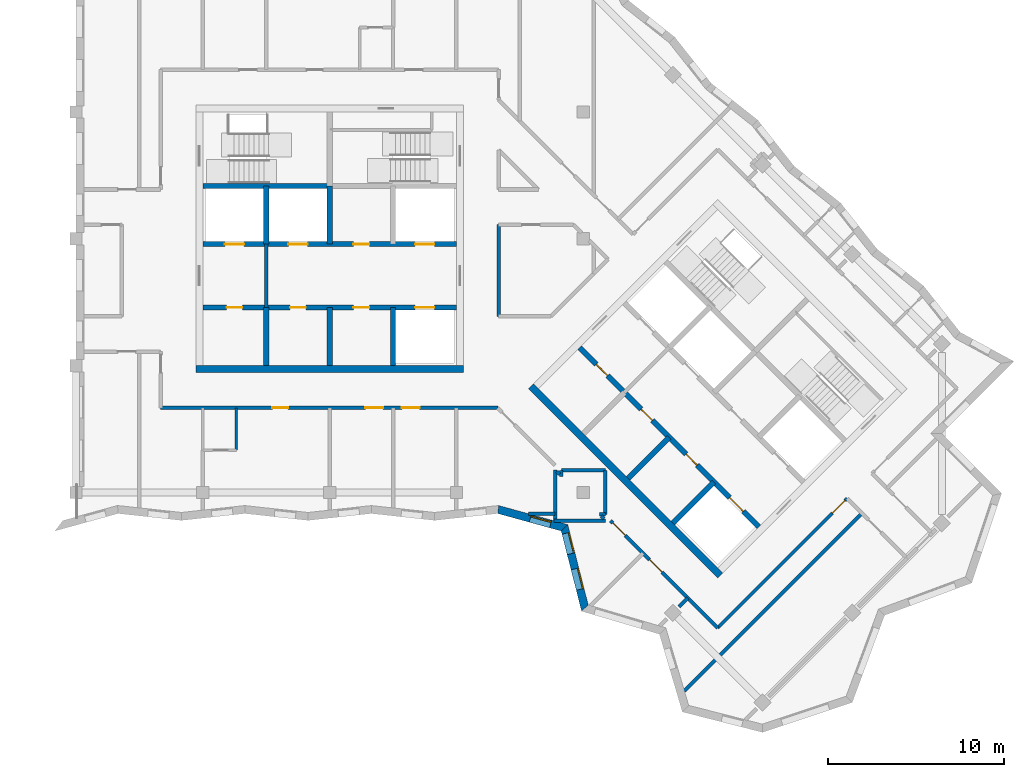
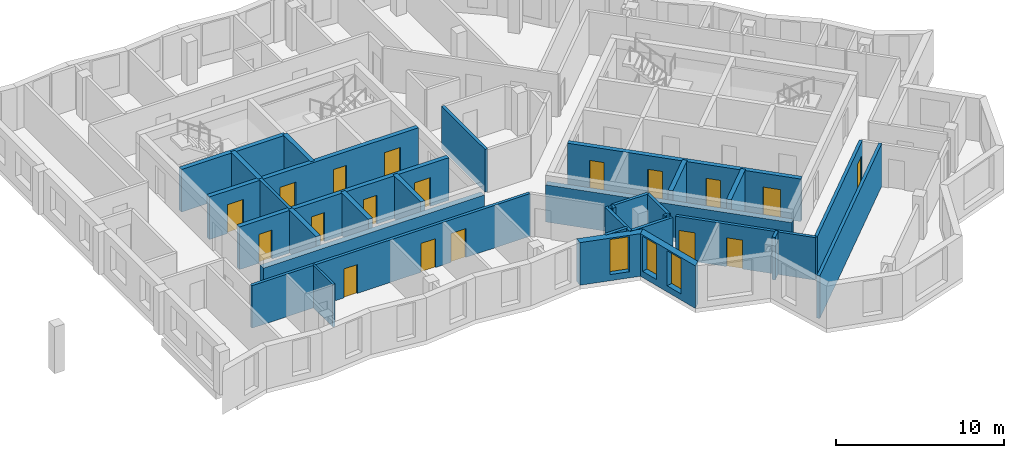
# One storey, part 3 of 12: 32 walls, 18 doors, 3 windows, 21 openings.
"""IFC4 building model written with IfcOpenShell, lengths in metres."""

from ifc_helpers import new_model, si_unit, direction, frame, frame_2d, origin, place, context, subcontext, project, spatial, polyline, rectangle, outline, extrude, material, layer, layer_set, type_object, element, fill, save


model = new_model("IFC4")

# Units and contexts
model_context = context("Model", 3, precision=1e-05, world=origin(), true_north=direction((0.0, 1.0)))
body_context = subcontext(model_context, "Body", "Model", "MODEL_VIEW")
ifc_project = project(units=[si_unit("LENGTHUNIT", "METRE"), si_unit("AREAUNIT", "SQUARE_METRE"), si_unit("VOLUMEUNIT", "CUBIC_METRE"), si_unit("PLANEANGLEUNIT", "RADIAN"), si_unit("MASSUNIT", "GRAM", prefix="KILO")], contexts=[model_context])

# Site, building, storey
site_placement = place(None, origin())
site = spatial("IfcSite", under=ifc_project, at=site_placement, CompositionType="ELEMENT")
building_placement = place(site_placement, origin())
building = spatial("IfcBuilding", under=site, at=building_placement, Name="Windrow Commons", CompositionType="ELEMENT")
storey_placement = place(building_placement, frame((0.0, 0.0, 254.0)))
storey = spatial("IfcBuildingStorey", under=building, at=storey_placement, Name="L69", CompositionType="ELEMENT", Elevation=254.0)

# Wall, opening, window
ifc_material_1 = material(Name="Brick masonry, red clay brick", Category="masonry")
ifc_layer_1 = layer(ifc_material_1, 0.45)
ifc_layer_set_1 = layer_set([ifc_layer_1], Name="Brick facade wall 450")
wall_type_1 = type_object("IfcWallType", Name="Brick facade wall 450", PredefinedType="SOLIDWALL", material=ifc_layer_set_1)
wall_1_placement = place(storey_placement, frame((74.3719, 42.2283, 0.0), z_axis=(0.0, 0.0, 1.0), x_axis=(0.9640145949, -0.2658493196, 0.0)))
wall_1 = element("IfcWall", 1, at=wall_1_placement, inside=storey, type_object=wall_type_1, Name="Brick facade wall L69 45", PredefinedType="SOLIDWALL", context=body_context, shape_type="SweptSolid", body=[
    extrude(outline(polyline([(0.043, -0.225), (3.7705, -0.225), (4.0317, 0.225), (-0.043, 0.225), (0.043, -0.225)])), origin(), (0.0, 0.0, 1.0), 3.1),
])
opening_1_placement = place(wall_1_placement, frame((1.8875, 0.0, 0.45)))
opening_1 = element("IfcOpeningElement", 2, at=opening_1_placement, cuts=wall_1, Name="Opening W7F", PredefinedType="OPENING", context=body_context, shape_type="SweptSolid", body=[
    extrude(rectangle(XDim=1.2, YDim=2.55, at=frame_2d((0.6, 1.275))), frame((0.0, 0.235, 0.0), z_axis=(0.0, -1.0, 0.0), x_axis=(1.0, 0.0, 0.0)), (0.0, 0.0, 1.0), 0.47),
])
ifc_material_2 = material(Name="Clear float glass in anodised aluminium frame", Category="aluminium")
window_type = type_object("IfcWindowType", Name="Window W7 notch 1200x2550", PartitioningType="SINGLE_PANEL", PredefinedType="WINDOW", material=ifc_material_2)
window_1_placement = place(opening_1_placement, origin())
window_1 = element("IfcWindow", 3, at=window_1_placement, inside=storey, type_object=window_type, Name="Window L69 45.1", OverallHeight=2.55, OverallWidth=1.2, PartitioningType="SINGLE_PANEL", PredefinedType="WINDOW", context=body_context, shape_type="SweptSolid", body=[
    extrude(rectangle(XDim=1.2, YDim=2.55, at=frame_2d((0.6, 1.275))), frame((0.0, 0.145, 0.0), z_axis=(0.0, -1.0, 0.0), x_axis=(1.0, 0.0, 0.0)), (0.0, 0.0, 1.0), 0.06),
])
fill(opening_1, window_1)

# Wall, openings, windows
wall_2_placement = place(storey_placement, frame((78.1326, 41.1912, 0.0), z_axis=(0.0, 0.0, 1.0), x_axis=(0.2471093733, -0.9689875942, 0.0)))
wall_2 = element("IfcWall", 4, at=wall_2_placement, inside=storey, type_object=wall_type_1, Name="Brick facade wall L69 46", PredefinedType="SOLIDWALL", context=body_context, shape_type="SweptSolid", body=[
    extrude(outline(polyline([(0.1306, -0.225), (4.8323, -0.225), (4.5765, 0.225), (-0.1306, 0.225), (0.1306, -0.225)])), origin(), (0.0, 0.0, 1.0), 3.1),
])
opening_2_placement = place(wall_2_placement, frame((0.321, 0.0, 0.45)))
opening_2 = element("IfcOpeningElement", 5, at=opening_2_placement, cuts=wall_2, Name="Opening W7F", PredefinedType="OPENING", context=body_context, shape_type="SweptSolid", body=[
    extrude(rectangle(XDim=1.2, YDim=2.55, at=frame_2d((0.6, 1.275))), frame((0.0, 0.235, 0.0), z_axis=(0.0, -1.0, 0.0), x_axis=(1.0, 0.0, 0.0)), (0.0, 0.0, 1.0), 0.47),
])
opening_3_placement = place(wall_2_placement, frame((2.4093, 0.0, 0.45)))
opening_3 = element("IfcOpeningElement", 6, at=opening_3_placement, cuts=wall_2, Name="Opening W7F", PredefinedType="OPENING", context=body_context, shape_type="SweptSolid", body=[
    extrude(rectangle(XDim=1.2, YDim=2.55, at=frame_2d((0.6, 1.275))), frame((0.0, 0.235, 0.0), z_axis=(0.0, -1.0, 0.0), x_axis=(1.0, 0.0, 0.0)), (0.0, 0.0, 1.0), 0.47),
])
window_2_placement = place(opening_2_placement, origin())
window_2 = element("IfcWindow", 7, at=window_2_placement, inside=storey, type_object=window_type, Name="Window L69 46.1", OverallHeight=2.55, OverallWidth=1.2, PartitioningType="SINGLE_PANEL", PredefinedType="WINDOW", context=body_context, shape_type="SweptSolid", body=[
    extrude(rectangle(XDim=1.2, YDim=2.55, at=frame_2d((0.6, 1.275))), frame((0.0, 0.205, 0.0), z_axis=(0.0, -1.0, 0.0), x_axis=(1.0, 0.0, 0.0)), (0.0, 0.0, 1.0), 0.06),
])
fill(opening_2, window_2)
window_3_placement = place(opening_3_placement, origin())
window_3 = element("IfcWindow", 8, at=window_3_placement, inside=storey, type_object=window_type, Name="Window L69 46.2", OverallHeight=2.55, OverallWidth=1.2, PartitioningType="SINGLE_PANEL", PredefinedType="WINDOW", context=body_context, shape_type="SweptSolid", body=[
    extrude(rectangle(XDim=1.2, YDim=2.55, at=frame_2d((0.6, 1.275))), frame((0.0, 0.205, 0.0), z_axis=(0.0, -1.0, 0.0), x_axis=(1.0, 0.0, 0.0)), (0.0, 0.0, 1.0), 0.06),
])
fill(opening_3, window_3)

# Wall
ifc_material_3 = material(Name="Blockwork partition", Category="masonry")
ifc_layer_2 = layer(ifc_material_3, 0.2)
ifc_layer_set_2 = layer_set([ifc_layer_2], Name="Fire lobby partition 200")
wall_type_2 = type_object("IfcWallType", Name="Fire lobby partition 200", PredefinedType="PARTITIONING", material=ifc_layer_set_2)
wall_3_placement = place(storey_placement, frame((61.2, 53.7, 0.0), z_axis=(0.0, 0.0, 1.0), x_axis=(0.0, 1.0, 0.0)))
element("IfcWall", 9, at=wall_3_placement, inside=storey, type_object=wall_type_2, Name="W-core-lobby-A-L69", PredefinedType="PARTITIONING", context=body_context, shape_type="SweptSolid", body=[
    extrude(rectangle(XDim=3.6, YDim=0.2, at=frame_2d((1.8, 0.0))), origin(), (0.0, 0.0, 1.0), 3.1),
])

# Wall, openings, doors
ifc_material_4 = material(Name="Blockwork partition", Category="masonry")
ifc_layer_3 = layer(ifc_material_4, 0.2)
ifc_layer_set_3 = layer_set([ifc_layer_3], Name="IW-CORRIDOR-200")
wall_type_3 = type_object("IfcWallType", Name="IW-CORRIDOR-200", PredefinedType="PARTITIONING", material=ifc_layer_set_3)
wall_4_placement = place(storey_placement, frame((55.2, 48.0, 0.0), z_axis=(0.0, 0.0, 1.0), x_axis=(1.0, 0.0, 0.0)))
wall_4 = element("IfcWall", 10, at=wall_4_placement, inside=storey, type_object=wall_type_3, Name="W-L69-W001", PredefinedType="PARTITIONING", context=body_context, shape_type="SweptSolid", body=[
    extrude(rectangle(XDim=19.15, YDim=0.2, at=frame_2d((9.575, 0.0))), origin(), (0.0, 0.0, 1.0), 3.1),
])
opening_4_placement = place(wall_4_placement, frame((6.3434, 0.0, 0.0)))
opening_4 = element("IfcOpeningElement", 11, at=opening_4_placement, cuts=wall_4, Name="Opening D109F", PredefinedType="OPENING", context=body_context, shape_type="SweptSolid", body=[
    extrude(rectangle(XDim=0.9, YDim=2.1, at=frame_2d((0.45, 1.05))), frame((0.0, 0.11, 0.0), z_axis=(0.0, -1.0, 0.0), x_axis=(1.0, 0.0, 0.0)), (0.0, 0.0, 1.0), 0.22),
])
opening_5_placement = place(wall_4_placement, frame((11.6325, 0.0, 0.0)))
opening_5 = element("IfcOpeningElement", 12, at=opening_5_placement, cuts=wall_4, Name="Opening D310F", PredefinedType="OPENING", context=body_context, shape_type="SweptSolid", body=[
    extrude(rectangle(XDim=1.0, YDim=2.1, at=frame_2d((0.5, 1.05))), frame((0.0, 0.11, 0.0), z_axis=(0.0, -1.0, 0.0), x_axis=(1.0, 0.0, 0.0)), (0.0, 0.0, 1.0), 0.22),
])
opening_6_placement = place(wall_4_placement, frame((13.7075, 0.0, 0.0)))
opening_6 = element("IfcOpeningElement", 13, at=opening_6_placement, cuts=wall_4, Name="Opening D310F", PredefinedType="OPENING", context=body_context, shape_type="SweptSolid", body=[
    extrude(rectangle(XDim=1.0, YDim=2.1, at=frame_2d((0.5, 1.05))), frame((0.0, 0.11, 0.0), z_axis=(0.0, -1.0, 0.0), x_axis=(1.0, 0.0, 0.0)), (0.0, 0.0, 1.0), 0.22),
])
ifc_material_5 = material(Name="Timber door leaf", Category="wood")
door_type_1 = type_object("IfcDoorType", Name="DT-AMENITY-1000", OperationType="SINGLE_SWING_LEFT", PredefinedType="DOOR", material=ifc_material_5)
door_1_placement = place(opening_5_placement, origin())
door_1 = element("IfcDoor", 14, at=door_1_placement, inside=storey, type_object=door_type_1, Name="D-L69-D004", OperationType="SINGLE_SWING_LEFT", OverallHeight=2.1, OverallWidth=1.0, PredefinedType="DOOR", context=body_context, shape_type="SweptSolid", body=[
    extrude(rectangle(XDim=1.0, YDim=2.1, at=frame_2d((0.5, 1.05))), frame((0.0, 0.025, 0.0), z_axis=(0.0, -1.0, 0.0), x_axis=(1.0, 0.0, 0.0)), (0.0, 0.0, 1.0), 0.05),
])
fill(opening_5, door_1)
door_2_placement = place(opening_6_placement, origin())
door_2 = element("IfcDoor", 15, at=door_2_placement, inside=storey, type_object=door_type_1, Name="D-L69-D005", OperationType="SINGLE_SWING_RIGHT", OverallHeight=2.1, OverallWidth=1.0, PredefinedType="DOOR", context=body_context, shape_type="SweptSolid", body=[
    extrude(rectangle(XDim=1.0, YDim=2.1, at=frame_2d((0.5, 1.05))), frame((0.0, 0.025, 0.0), z_axis=(0.0, -1.0, 0.0), x_axis=(1.0, 0.0, 0.0)), (0.0, 0.0, 1.0), 0.05),
])
fill(opening_6, door_2)
ifc_material_6 = material(Name="Timber door leaf", Category="wood")
door_type_2 = type_object("IfcDoorType", Name="DT-BEDROOM-900", OperationType="SINGLE_SWING_LEFT", PredefinedType="DOOR", material=ifc_material_6)
door_3_placement = place(opening_4_placement, origin())
door_3 = element("IfcDoor", 16, at=door_3_placement, inside=storey, type_object=door_type_2, Name="D-L69-D002", OperationType="SINGLE_SWING_LEFT", OverallHeight=2.1, OverallWidth=0.9, PredefinedType="DOOR", context=body_context, shape_type="SweptSolid", body=[
    extrude(rectangle(XDim=0.9, YDim=2.1, at=frame_2d((0.45, 1.05))), frame((0.0, 0.025, 0.0), z_axis=(0.0, -1.0, 0.0), x_axis=(1.0, 0.0, 0.0)), (0.0, 0.0, 1.0), 0.05),
])
fill(opening_4, door_3)

# Wall, opening, door
wall_5_placement = place(storey_placement, frame((86.8359, 35.5141, 0.0), z_axis=(0.0, 0.0, 1.0), x_axis=(0.7071067812, 0.7071067812, 0.0)))
wall_5 = element("IfcWall", 17, at=wall_5_placement, inside=storey, type_object=wall_type_3, Name="W-L69-W006", PredefinedType="PARTITIONING", context=body_context, shape_type="SweptSolid", body=[
    extrude(rectangle(XDim=10.4001, YDim=0.2, at=frame_2d((5.2001, 0.0))), origin(), (0.0, 0.0, 1.0), 3.1),
])
opening_7_placement = place(wall_5_placement, frame((9.2073, 0.0, 0.0)))
opening_7 = element("IfcOpeningElement", 18, at=opening_7_placement, cuts=wall_5, Name="Opening D310F", PredefinedType="OPENING", context=body_context, shape_type="SweptSolid", body=[
    extrude(rectangle(XDim=1.0, YDim=2.1, at=frame_2d((0.5, 1.05))), frame((0.0, 0.11, 0.0), z_axis=(0.0, -1.0, 0.0), x_axis=(1.0, 0.0, 0.0)), (0.0, 0.0, 1.0), 0.22),
])
door_4_placement = place(opening_7_placement, origin())
door_4 = element("IfcDoor", 19, at=door_4_placement, inside=storey, type_object=door_type_1, Name="D-L69-D027", OperationType="SINGLE_SWING_RIGHT", OverallHeight=2.1, OverallWidth=1.0, PredefinedType="DOOR", context=body_context, shape_type="SweptSolid", body=[
    extrude(rectangle(XDim=1.0, YDim=2.1, at=frame_2d((0.5, 1.05))), frame((0.0, 0.025, 0.0), z_axis=(0.0, -1.0, 0.0), x_axis=(1.0, 0.0, 0.0)), (0.0, 0.0, 1.0), 0.05),
])
fill(opening_7, door_4)

# Wall, openings, doors
wall_6_placement = place(storey_placement, frame((80.7468, 41.5968, 0.0), z_axis=(0.0, 0.0, 1.0), x_axis=(0.7071067812, -0.7071067812, 0.0)))
wall_6 = element("IfcWall", 20, at=wall_6_placement, inside=storey, type_object=wall_type_3, Name="W-L69-W009", PredefinedType="PARTITIONING", context=body_context, shape_type="SweptSolid", body=[
    extrude(rectangle(XDim=8.6069, YDim=0.2, at=frame_2d((4.3034, 0.0))), origin(), (0.0, 0.0, 1.0), 3.1),
])
opening_8_placement = place(wall_6_placement, frame((0.1948, 0.0, 0.0)))
opening_8 = element("IfcOpeningElement", 21, at=opening_8_placement, cuts=wall_6, Name="Opening D310F", PredefinedType="OPENING", context=body_context, shape_type="SweptSolid", body=[
    extrude(rectangle(XDim=1.0, YDim=2.1, at=frame_2d((0.5, 1.05))), frame((0.0, 0.11, 0.0), z_axis=(0.0, -1.0, 0.0), x_axis=(1.0, 0.0, 0.0)), (0.0, 0.0, 1.0), 0.22),
])
opening_9_placement = place(wall_6_placement, frame((3.1329, 0.0, 0.0)))
opening_9 = element("IfcOpeningElement", 22, at=opening_9_placement, cuts=wall_6, Name="Opening D410F", PredefinedType="OPENING", context=body_context, shape_type="SweptSolid", body=[
    extrude(rectangle(XDim=1.0, YDim=2.1, at=frame_2d((0.5, 1.05))), frame((0.0, 0.11, 0.0), z_axis=(0.0, -1.0, 0.0), x_axis=(1.0, 0.0, 0.0)), (0.0, 0.0, 1.0), 0.22),
])
door_5_placement = place(opening_8_placement, origin())
door_5 = element("IfcDoor", 23, at=door_5_placement, inside=storey, type_object=door_type_1, Name="D-L69-D025", OperationType="SINGLE_SWING_LEFT", OverallHeight=2.1, OverallWidth=1.0, PredefinedType="DOOR", context=body_context, shape_type="SweptSolid", body=[
    extrude(rectangle(XDim=1.0, YDim=2.1, at=frame_2d((0.5, 1.05))), frame((0.0, 0.025, 0.0), z_axis=(0.0, -1.0, 0.0), x_axis=(1.0, 0.0, 0.0)), (0.0, 0.0, 1.0), 0.05),
])
fill(opening_8, door_5)
ifc_material_7 = material(Name="Timber door leaf", Category="wood")
door_type_3 = type_object("IfcDoorType", Name="DT-SERVICE-1000", OperationType="SINGLE_SWING_LEFT", PredefinedType="DOOR", material=ifc_material_7)
door_6_placement = place(opening_9_placement, origin())
door_6 = element("IfcDoor", 24, at=door_6_placement, inside=storey, type_object=door_type_3, Name="D-L69-D026", OperationType="SINGLE_SWING_LEFT", OverallHeight=2.1, OverallWidth=1.0, PredefinedType="DOOR", context=body_context, shape_type="SweptSolid", body=[
    extrude(rectangle(XDim=1.0, YDim=2.1, at=frame_2d((0.5, 1.05))), frame((0.0, 0.025, 0.0), z_axis=(0.0, -1.0, 0.0), x_axis=(1.0, 0.0, 0.0)), (0.0, 0.0, 1.0), 0.05),
])
fill(opening_9, door_6)

# Walls
wall_7_placement = place(storey_placement, frame((74.4, 53.202, 0.0), z_axis=(0.0, 0.0, 1.0), x_axis=(0.0, 1.0, 0.0)))
element("IfcWall", 25, at=wall_7_placement, inside=storey, type_object=wall_type_3, Name="W-L69-W019", PredefinedType="PARTITIONING", context=body_context, shape_type="SweptSolid", body=[
    extrude(rectangle(XDim=5.198, YDim=0.2, at=frame_2d((2.599, 0.0))), origin(), (0.0, 0.0, 1.0), 3.1),
])
for number, where, z_axis, x_axis, name in (
    (26, (80.45, 41.952, 0.0), (0.0, 0.0, 1.0), (0.0, 1.0, 0.0), "W-L69-W046"),
    (27, (77.952, 44.45, 0.0), (0.0, 0.0, 1.0), (1.0, 0.0, 0.0), "W-L69-W047"),
):
    element("IfcWall", number, at=place(storey_placement, frame(where, z_axis=z_axis, x_axis=x_axis)), inside=storey, type_object=wall_type_3, Name=name, PredefinedType="PARTITIONING", context=body_context, shape_type="SweptSolid", body=[
        extrude(rectangle(XDim=2.498, YDim=0.2, at=frame_2d((1.249, 0.0))), origin(), (0.0, 0.0, 1.0), 3.1),
    ])
for number, where, z_axis, x_axis, name in (
    (28, (80.2205, 41.8545, 0.0), (0.0, 0.0, 1.0), (0.7068844555, -0.707329037, 0.0), "W-L69-W092"),
    (29, (77.6954, 44.3795, 0.0), (0.0, 0.0, 1.0), (0.707329037, -0.7068844555, 0.0), "W-L69-W093"),
):
    element("IfcWall", number, at=place(storey_placement, frame(where, z_axis=z_axis, x_axis=x_axis)), inside=storey, type_object=wall_type_3, Name=name, PredefinedType="PARTITIONING", context=body_context, shape_type="SweptSolid", body=[
        extrude(rectangle(XDim=0.2249, YDim=0.2, at=frame_2d((0.1124, 0.0))), origin(), (0.0, 0.0, 1.0), 3.1),
    ])
for number, where, z_axis, x_axis, name in (
    (30, (80.118, 41.95, 0.0), (0.0, 0.0, 1.0), (1.0, 0.0, 0.0), "W-L69-W101"),
    (31, (77.95, 44.118, 0.0), (0.0, 0.0, 1.0), (0.0, 1.0, 0.0), "W-L69-W102"),
):
    element("IfcWall", number, at=place(storey_placement, frame(where, z_axis=z_axis, x_axis=x_axis)), inside=storey, type_object=wall_type_3, Name=name, PredefinedType="PARTITIONING", context=body_context, shape_type="SweptSolid", body=[
        extrude(rectangle(XDim=0.332, YDim=0.2, at=frame_2d((0.166, 0.0))), origin(), (0.0, 0.0, 1.0), 3.1),
    ])
ifc_material_8 = material(Name="Blockwork partition", Category="masonry")
ifc_layer_4 = layer(ifc_material_8, 0.15)
ifc_layer_set_4 = layer_set([ifc_layer_4], Name="IW-ENSUITE-150")
wall_type_4 = type_object("IfcWallType", Name="IW-ENSUITE-150", PredefinedType="PARTITIONING", material=ifc_layer_set_4)
wall_8_placement = place(storey_placement, frame((59.5, 45.6, 0.0), z_axis=(0.0, 0.0, 1.0), x_axis=(0.0, 1.0, 0.0)))
element("IfcWall", 32, at=wall_8_placement, inside=storey, type_object=wall_type_4, Name="W-L69-W049", PredefinedType="PARTITIONING", context=body_context, shape_type="SweptSolid", body=[
    extrude(rectangle(XDim=2.4, YDim=0.15, at=frame_2d((1.2, 0.0))), origin(), (0.0, 0.0, 1.0), 3.1),
])
ifc_material_9 = material(Name="Blockwork partition", Category="masonry")
ifc_layer_5 = layer(ifc_material_9, 0.2)
ifc_layer_set_5 = layer_set([ifc_layer_5], Name="IW-PARTY-200")
wall_type_5 = type_object("IfcWallType", Name="IW-PARTY-200", PredefinedType="PARTITIONING", material=ifc_layer_set_5)
wall_9_placement = place(storey_placement, frame((84.9437, 31.9273, 0.0), z_axis=(0.0, 0.0, 1.0), x_axis=(0.7071768334, 0.7070367221, 0.0)))
element("IfcWall", 33, at=wall_9_placement, inside=storey, type_object=wall_type_5, Name="W-L69-W002", PredefinedType="PARTITIONING", context=body_context, shape_type="SweptSolid", body=[
    extrude(rectangle(XDim=14.2744, YDim=0.2, at=frame_2d((7.1372, 0.0))), origin(), (0.0, 0.0, 1.0), 3.1),
])
wall_10_placement = place(storey_placement, frame((77.5465, 41.6, 0.0), z_axis=(0.0, 0.0, 1.0), x_axis=(1.0, 0.0, 0.0)))
element("IfcWall", 34, at=wall_10_placement, inside=storey, type_object=wall_type_5, Name="W-L69-W039", PredefinedType="PARTITIONING", context=body_context, shape_type="SweptSolid", body=[
    extrude(rectangle(XDim=2.9215, YDim=0.2, at=frame_2d((1.4607, 0.0))), origin(), (0.0, 0.0, 1.0), 3.1),
])
wall_11_placement = place(storey_placement, frame((77.6, 41.5715, 0.0), z_axis=(0.0, 0.0, 1.0), x_axis=(0.0, 1.0, 0.0)))
element("IfcWall", 35, at=wall_11_placement, inside=storey, type_object=wall_type_5, Name="W-L69-W040", PredefinedType="PARTITIONING", context=body_context, shape_type="SweptSolid", body=[
    extrude(rectangle(XDim=2.8965, YDim=0.2, at=frame_2d((1.4483, 0.0))), origin(), (0.0, 0.0, 1.0), 3.1),
])
wall_12_placement = place(storey_placement, frame((76.0962, 42.0, 0.0), z_axis=(0.0, 0.0, 1.0), x_axis=(1.0, 0.0, 0.0)))
element("IfcWall", 36, at=wall_12_placement, inside=storey, type_object=wall_type_5, Name="W-L69-W074", PredefinedType="PARTITIONING", context=body_context, shape_type="SweptSolid", body=[
    extrude(rectangle(XDim=1.5038, YDim=0.2, at=frame_2d((0.7519, 0.0))), origin(), (0.0, 0.0, 1.0), 3.1),
])
wall_13_placement = place(storey_placement, frame((84.6408, 36.7132, 0.0), z_axis=(0.0, 0.0, 1.0), x_axis=(0.7071067812, 0.7071067812, 0.0)))
element("IfcWall", 37, at=wall_13_placement, inside=storey, type_object=wall_type_5, Name="W-L69-W082", PredefinedType="PARTITIONING", context=body_context, shape_type="SweptSolid", body=[
    extrude(rectangle(XDim=0.7043, YDim=0.2, at=frame_2d((0.3522, 0.0))), origin(), (0.0, 0.0, 1.0), 3.1),
])
ifc_material_10 = material(Name="Concrete C40/50", Category="concrete")
ifc_layer_6 = layer(ifc_material_10, 0.4)
ifc_layer_set_6 = layer_set([ifc_layer_6], Name="RC CORE WALL 400 C40/50")
wall_type_6 = type_object("IfcWallType", Name="RC CORE WALL 400 C40/50", PredefinedType="SHEAR", material=ifc_layer_set_6)
for number, where, z_axis, x_axis, name in (
    (38, (57.2, 50.2, -0.3), (0.0, 0.0, 1.0), (1.0, 0.0, 0.0), "Core A wall outer-S"),
    (39, (76.2302, 49.2312, -0.3), (0.0, 0.0, 1.0), (0.7071034917, -0.7071100706, 0.0), "Core B wall outer-S"),
):
    element("IfcWall", number, at=place(storey_placement, frame(where, z_axis=z_axis, x_axis=x_axis)), inside=storey, type_object=wall_type_6, Name=name, PredefinedType="SHEAR", context=body_context, shape_type="SweptSolid", body=[
        extrude(rectangle(XDim=15.2, YDim=0.4, at=frame_2d((7.6, 0.0))), origin(), (0.0, 0.0, 1.0), 2.7),
    ])
ifc_material_11 = material(Name="Concrete C40/50", Category="concrete")
ifc_layer_7 = layer(ifc_material_11, 0.3)
ifc_layer_set_7 = layer_set([ifc_layer_7], Name="RC SHAFT WALL 300 C40/50")
wall_type_7 = type_object("IfcWallType", Name="RC SHAFT WALL 300 C40/50", PredefinedType="SOLIDWALL", material=ifc_layer_set_7)
for number, where, z_axis, x_axis, name in (
    (40, (61.2, 50.4, 0.0), (0.0, 0.0, 1.0), (0.0, 1.0, 0.0), "Core A wall shaft-S1"),
    (41, (61.2, 57.3, 0.0), (0.0, 0.0, 1.0), (0.0, 1.0, 0.0), "Core A wall shaft-N1"),
    (42, (64.8, 50.4, 0.0), (0.0, 0.0, 1.0), (0.0, 1.0, 0.0), "Core A wall shaft-S2"),
    (43, (64.8, 57.3, 0.0), (0.0, 0.0, 1.0), (0.0, 1.0, 0.0), "Core A wall shaft-N2"),
    (44, (68.4, 50.4, 0.0), (0.0, 0.0, 1.0), (0.0, 1.0, 0.0), "Core A wall shaft-S3"),
):
    element("IfcWall", number, at=place(storey_placement, frame(where, z_axis=z_axis, x_axis=x_axis)), inside=storey, type_object=wall_type_7, Name=name, PredefinedType="SOLIDWALL", context=body_context, shape_type="SweptSolid", body=[
        extrude(rectangle(XDim=3.3, YDim=0.3, at=frame_2d((1.65, 0.0))), origin(), (0.0, 0.0, 1.0), 3.1),
    ])

# Wall, openings, doors
wall_14_placement = place(storey_placement, frame((57.6, 53.7, 0.0), z_axis=(0.0, 0.0, 1.0), x_axis=(1.0, 0.0, 0.0)))
wall_14 = element("IfcWall", 45, at=wall_14_placement, inside=storey, type_object=wall_type_7, Name="Core A wall lobby-S", PredefinedType="SOLIDWALL", context=body_context, shape_type="SweptSolid", body=[
    extrude(rectangle(XDim=14.4, YDim=0.3, at=frame_2d((7.2, 0.0))), origin(), (0.0, 0.0, 1.0), 3.1),
])
opening_10_placement = place(wall_14_placement, frame((1.35, 0.0, 0.0)))
opening_10 = element("IfcOpeningElement", 46, at=opening_10_placement, cuts=wall_14, Name="Opening D8", PredefinedType="OPENING", context=body_context, shape_type="SweptSolid", body=[
    extrude(rectangle(XDim=0.9, YDim=2.1, at=frame_2d((0.45, 1.05))), frame((0.0, 0.16, 0.0), z_axis=(0.0, -1.0, 0.0), x_axis=(1.0, 0.0, 0.0)), (0.0, 0.0, 1.0), 0.32),
])
opening_11_placement = place(wall_14_placement, frame((4.95, 0.0, 0.0)))
opening_11 = element("IfcOpeningElement", 47, at=opening_11_placement, cuts=wall_14, Name="Opening D8", PredefinedType="OPENING", context=body_context, shape_type="SweptSolid", body=[
    extrude(rectangle(XDim=0.9, YDim=2.1, at=frame_2d((0.45, 1.05))), frame((0.0, 0.16, 0.0), z_axis=(0.0, -1.0, 0.0), x_axis=(1.0, 0.0, 0.0)), (0.0, 0.0, 1.0), 0.32),
])
opening_12_placement = place(wall_14_placement, frame((8.55, 0.0, 0.0)))
opening_12 = element("IfcOpeningElement", 48, at=opening_12_placement, cuts=wall_14, Name="Opening D8", PredefinedType="OPENING", context=body_context, shape_type="SweptSolid", body=[
    extrude(rectangle(XDim=0.9, YDim=2.1, at=frame_2d((0.45, 1.05))), frame((0.0, 0.16, 0.0), z_axis=(0.0, -1.0, 0.0), x_axis=(1.0, 0.0, 0.0)), (0.0, 0.0, 1.0), 0.32),
])
opening_13_placement = place(wall_14_placement, frame((12.05, 0.0, 0.0)))
opening_13 = element("IfcOpeningElement", 49, at=opening_13_placement, cuts=wall_14, Name="Opening LD", PredefinedType="OPENING", context=body_context, shape_type="SweptSolid", body=[
    extrude(rectangle(XDim=1.1, YDim=2.1, at=frame_2d((0.55, 1.05))), frame((0.0, 0.16, 0.0), z_axis=(0.0, -1.0, 0.0), x_axis=(1.0, 0.0, 0.0)), (0.0, 0.0, 1.0), 0.32),
])
ifc_material_12 = material(Name="Steel fire door leaf", Category="steel")
door_type_4 = type_object("IfcDoorType", Name="Core store door 900", OperationType="SINGLE_SWING_LEFT", PredefinedType="DOOR", material=ifc_material_12)
door_7_placement = place(opening_10_placement, origin())
door_7 = element("IfcDoor", 50, at=door_7_placement, inside=storey, type_object=door_type_4, Name="Store door", OperationType="SINGLE_SWING_LEFT", OverallHeight=2.1, OverallWidth=0.9, PredefinedType="DOOR", context=body_context, shape_type="SweptSolid", body=[
    extrude(rectangle(XDim=0.9, YDim=2.1, at=frame_2d((0.45, 1.05))), frame((0.0, 0.025, 0.0), z_axis=(0.0, -1.0, 0.0), x_axis=(1.0, 0.0, 0.0)), (0.0, 0.0, 1.0), 0.05),
])
fill(opening_10, door_7)
door_8_placement = place(opening_11_placement, origin())
door_8 = element("IfcDoor", 51, at=door_8_placement, inside=storey, type_object=door_type_4, Name="Store door", OperationType="SINGLE_SWING_LEFT", OverallHeight=2.1, OverallWidth=0.9, PredefinedType="DOOR", context=body_context, shape_type="SweptSolid", body=[
    extrude(rectangle(XDim=0.9, YDim=2.1, at=frame_2d((0.45, 1.05))), frame((0.0, 0.025, 0.0), z_axis=(0.0, -1.0, 0.0), x_axis=(1.0, 0.0, 0.0)), (0.0, 0.0, 1.0), 0.05),
])
fill(opening_11, door_8)
door_9_placement = place(opening_12_placement, origin())
door_9 = element("IfcDoor", 52, at=door_9_placement, inside=storey, type_object=door_type_4, Name="Store door", OperationType="SINGLE_SWING_LEFT", OverallHeight=2.1, OverallWidth=0.9, PredefinedType="DOOR", context=body_context, shape_type="SweptSolid", body=[
    extrude(rectangle(XDim=0.9, YDim=2.1, at=frame_2d((0.45, 1.05))), frame((0.0, 0.025, 0.0), z_axis=(0.0, -1.0, 0.0), x_axis=(1.0, 0.0, 0.0)), (0.0, 0.0, 1.0), 0.05),
])
fill(opening_12, door_9)
ifc_material_13 = material(Name="Stainless steel door leaf", Category="steel")
door_type_5 = type_object("IfcDoorType", Name="Lift landing door 1100", OperationType="SLIDING_TO_LEFT", PredefinedType="DOOR", material=ifc_material_13)
door_10_placement = place(opening_13_placement, origin())
door_10 = element("IfcDoor", 53, at=door_10_placement, inside=storey, type_object=door_type_5, Name="Lift landing door", OperationType="SLIDING_TO_RIGHT", OverallHeight=2.1, OverallWidth=1.1, PredefinedType="DOOR", context=body_context, shape_type="SweptSolid", body=[
    extrude(rectangle(XDim=1.1, YDim=2.1, at=frame_2d((0.55, 1.05))), frame((0.0, 0.025, 0.0), z_axis=(0.0, -1.0, 0.0), x_axis=(1.0, 0.0, 0.0)), (0.0, 0.0, 1.0), 0.05),
])
fill(opening_13, door_10)

wall_15_placement = place(storey_placement, frame((57.6, 57.3, 0.0), z_axis=(0.0, 0.0, 1.0), x_axis=(1.0, 0.0, 0.0)))
wall_15 = element("IfcWall", 54, at=wall_15_placement, inside=storey, type_object=wall_type_7, Name="Core A wall lobby-N", PredefinedType="SOLIDWALL", context=body_context, shape_type="SweptSolid", body=[
    extrude(rectangle(XDim=14.4, YDim=0.3, at=frame_2d((7.2, 0.0))), origin(), (0.0, 0.0, 1.0), 3.1),
])
opening_14_placement = place(wall_15_placement, frame((8.55, 0.0, 0.0)))
opening_14 = element("IfcOpeningElement", 55, at=opening_14_placement, cuts=wall_15, Name="Opening D8", PredefinedType="OPENING", context=body_context, shape_type="SweptSolid", body=[
    extrude(rectangle(XDim=0.9, YDim=2.1, at=frame_2d((0.45, 1.05))), frame((0.0, 0.16, 0.0), z_axis=(0.0, -1.0, 0.0), x_axis=(1.0, 0.0, 0.0)), (0.0, 0.0, 1.0), 0.32),
])
opening_15_placement = place(wall_15_placement, frame((1.25, 0.0, 0.0)))
opening_15 = element("IfcOpeningElement", 56, at=opening_15_placement, cuts=wall_15, Name="Opening LD", PredefinedType="OPENING", context=body_context, shape_type="SweptSolid", body=[
    extrude(rectangle(XDim=1.1, YDim=2.1, at=frame_2d((0.55, 1.05))), frame((0.0, 0.16, 0.0), z_axis=(0.0, -1.0, 0.0), x_axis=(1.0, 0.0, 0.0)), (0.0, 0.0, 1.0), 0.32),
])
opening_16_placement = place(wall_15_placement, frame((4.85, 0.0, 0.0)))
opening_16 = element("IfcOpeningElement", 57, at=opening_16_placement, cuts=wall_15, Name="Opening LD", PredefinedType="OPENING", context=body_context, shape_type="SweptSolid", body=[
    extrude(rectangle(XDim=1.1, YDim=2.1, at=frame_2d((0.55, 1.05))), frame((0.0, 0.16, 0.0), z_axis=(0.0, -1.0, 0.0), x_axis=(1.0, 0.0, 0.0)), (0.0, 0.0, 1.0), 0.32),
])
opening_17_placement = place(wall_15_placement, frame((12.05, 0.0, 0.0)))
opening_17 = element("IfcOpeningElement", 58, at=opening_17_placement, cuts=wall_15, Name="Opening LD", PredefinedType="OPENING", context=body_context, shape_type="SweptSolid", body=[
    extrude(rectangle(XDim=1.1, YDim=2.1, at=frame_2d((0.55, 1.05))), frame((0.0, 0.16, 0.0), z_axis=(0.0, -1.0, 0.0), x_axis=(1.0, 0.0, 0.0)), (0.0, 0.0, 1.0), 0.32),
])
door_11_placement = place(opening_14_placement, origin())
door_11 = element("IfcDoor", 59, at=door_11_placement, inside=storey, type_object=door_type_4, Name="Store door", OperationType="SINGLE_SWING_LEFT", OverallHeight=2.1, OverallWidth=0.9, PredefinedType="DOOR", context=body_context, shape_type="SweptSolid", body=[
    extrude(rectangle(XDim=0.9, YDim=2.1, at=frame_2d((0.45, 1.05))), frame((0.0, 0.025, 0.0), z_axis=(0.0, -1.0, 0.0), x_axis=(1.0, 0.0, 0.0)), (0.0, 0.0, 1.0), 0.05),
])
fill(opening_14, door_11)
door_12_placement = place(opening_15_placement, origin())
door_12 = element("IfcDoor", 60, at=door_12_placement, inside=storey, type_object=door_type_5, Name="Lift landing door", OperationType="SLIDING_TO_LEFT", OverallHeight=2.1, OverallWidth=1.1, PredefinedType="DOOR", context=body_context, shape_type="SweptSolid", body=[
    extrude(rectangle(XDim=1.1, YDim=2.1, at=frame_2d((0.55, 1.05))), frame((0.0, 0.025, 0.0), z_axis=(0.0, -1.0, 0.0), x_axis=(1.0, 0.0, 0.0)), (0.0, 0.0, 1.0), 0.05),
])
fill(opening_15, door_12)
door_13_placement = place(opening_16_placement, origin())
door_13 = element("IfcDoor", 61, at=door_13_placement, inside=storey, type_object=door_type_5, Name="Lift landing door", OperationType="SLIDING_TO_RIGHT", OverallHeight=2.1, OverallWidth=1.1, PredefinedType="DOOR", context=body_context, shape_type="SweptSolid", body=[
    extrude(rectangle(XDim=1.1, YDim=2.1, at=frame_2d((0.55, 1.05))), frame((0.0, 0.025, 0.0), z_axis=(0.0, -1.0, 0.0), x_axis=(1.0, 0.0, 0.0)), (0.0, 0.0, 1.0), 0.05),
])
fill(opening_16, door_13)
door_14_placement = place(opening_17_placement, origin())
door_14 = element("IfcDoor", 62, at=door_14_placement, inside=storey, type_object=door_type_5, Name="Lift landing door", OperationType="SLIDING_TO_RIGHT", OverallHeight=2.1, OverallWidth=1.1, PredefinedType="DOOR", context=body_context, shape_type="SweptSolid", body=[
    extrude(rectangle(XDim=1.1, YDim=2.1, at=frame_2d((0.55, 1.05))), frame((0.0, 0.025, 0.0), z_axis=(0.0, -1.0, 0.0), x_axis=(1.0, 0.0, 0.0)), (0.0, 0.0, 1.0), 0.05),
])
fill(opening_17, door_14)

# Walls
wall_16_placement = place(storey_placement, frame((57.6, 60.6, 0.0), z_axis=(0.0, 0.0, 1.0), x_axis=(1.0, 0.0, 0.0)))
element("IfcWall", 63, at=wall_16_placement, inside=storey, type_object=wall_type_7, Name="Core A wall stair-S", PredefinedType="SOLIDWALL", context=body_context, shape_type="SweptSolid", body=[
    extrude(rectangle(XDim=7.2, YDim=0.3, at=frame_2d((3.6, 0.0))), origin(), (0.0, 0.0, 1.0), 3.1),
])
for number, where, z_axis, x_axis, name in (
    (64, (81.7456, 43.9986, 0.0), (0.0, 0.0, 1.0), (0.7071067812, 0.7071067812, 0.0), "Core B wall shaft-S2"),
    (65, (84.2912, 41.453, 0.0), (0.0, 0.0, 1.0), (0.7071067812, 0.7071067812, 0.0), "Core B wall shaft-S3"),
):
    element("IfcWall", number, at=place(storey_placement, frame(where, z_axis=z_axis, x_axis=x_axis)), inside=storey, type_object=wall_type_7, Name=name, PredefinedType="SOLIDWALL", context=body_context, shape_type="SweptSolid", body=[
        extrude(rectangle(XDim=3.2999, YDim=0.3, at=frame_2d((1.65, 0.0))), origin(), (0.0, 0.0, 1.0), 3.1),
    ])

# Wall, openings, doors
wall_17_placement = place(storey_placement, frame((78.9879, 51.4232, 0.0), z_axis=(0.0, 0.0, 1.0), x_axis=(0.7071067812, -0.7071067812, 0.0)))
wall_17 = element("IfcWall", 66, at=wall_17_placement, inside=storey, type_object=wall_type_7, Name="Core B wall lobby-S", PredefinedType="SOLIDWALL", context=body_context, shape_type="SweptSolid", body=[
    extrude(rectangle(XDim=14.3999, YDim=0.3, at=frame_2d((7.2, 0.0))), origin(), (0.0, 0.0, 1.0), 3.1),
])
opening_18_placement = place(wall_17_placement, frame((1.35, 0.0, 0.0)))
opening_18 = element("IfcOpeningElement", 67, at=opening_18_placement, cuts=wall_17, Name="Opening D8", PredefinedType="OPENING", context=body_context, shape_type="SweptSolid", body=[
    extrude(rectangle(XDim=0.9, YDim=2.1, at=frame_2d((0.45, 1.05))), frame((0.0, 0.16, 0.0), z_axis=(0.0, -1.0, 0.0), x_axis=(1.0, 0.0, 0.0)), (0.0, 0.0, 1.0), 0.32),
])
opening_19_placement = place(wall_17_placement, frame((4.95, 0.0, 0.0)))
opening_19 = element("IfcOpeningElement", 68, at=opening_19_placement, cuts=wall_17, Name="Opening D8", PredefinedType="OPENING", context=body_context, shape_type="SweptSolid", body=[
    extrude(rectangle(XDim=0.9, YDim=2.1, at=frame_2d((0.45, 1.05))), frame((0.0, 0.16, 0.0), z_axis=(0.0, -1.0, 0.0), x_axis=(1.0, 0.0, 0.0)), (0.0, 0.0, 1.0), 0.32),
])
opening_20_placement = place(wall_17_placement, frame((8.55, 0.0, 0.0)))
opening_20 = element("IfcOpeningElement", 69, at=opening_20_placement, cuts=wall_17, Name="Opening D8", PredefinedType="OPENING", context=body_context, shape_type="SweptSolid", body=[
    extrude(rectangle(XDim=0.9, YDim=2.1, at=frame_2d((0.45, 1.05))), frame((0.0, 0.16, 0.0), z_axis=(0.0, -1.0, 0.0), x_axis=(1.0, 0.0, 0.0)), (0.0, 0.0, 1.0), 0.32),
])
opening_21_placement = place(wall_17_placement, frame((12.05, 0.0, 0.0)))
opening_21 = element("IfcOpeningElement", 70, at=opening_21_placement, cuts=wall_17, Name="Opening LD", PredefinedType="OPENING", context=body_context, shape_type="SweptSolid", body=[
    extrude(rectangle(XDim=1.1, YDim=2.1, at=frame_2d((0.55, 1.05))), frame((0.0, 0.16, 0.0), z_axis=(0.0, -1.0, 0.0), x_axis=(1.0, 0.0, 0.0)), (0.0, 0.0, 1.0), 0.32),
])
door_15_placement = place(opening_18_placement, origin())
door_15 = element("IfcDoor", 71, at=door_15_placement, inside=storey, type_object=door_type_4, Name="Store door", OperationType="SINGLE_SWING_LEFT", OverallHeight=2.1, OverallWidth=0.9, PredefinedType="DOOR", context=body_context, shape_type="SweptSolid", body=[
    extrude(rectangle(XDim=0.9, YDim=2.1, at=frame_2d((0.45, 1.05))), frame((0.0, 0.025, 0.0), z_axis=(0.0, -1.0, 0.0), x_axis=(1.0, 0.0, 0.0)), (0.0, 0.0, 1.0), 0.05),
])
fill(opening_18, door_15)
door_16_placement = place(opening_19_placement, origin())
door_16 = element("IfcDoor", 72, at=door_16_placement, inside=storey, type_object=door_type_4, Name="Store door", OperationType="SINGLE_SWING_LEFT", OverallHeight=2.1, OverallWidth=0.9, PredefinedType="DOOR", context=body_context, shape_type="SweptSolid", body=[
    extrude(rectangle(XDim=0.9, YDim=2.1, at=frame_2d((0.45, 1.05))), frame((0.0, 0.025, 0.0), z_axis=(0.0, -1.0, 0.0), x_axis=(1.0, 0.0, 0.0)), (0.0, 0.0, 1.0), 0.05),
])
fill(opening_19, door_16)
door_17_placement = place(opening_20_placement, origin())
door_17 = element("IfcDoor", 73, at=door_17_placement, inside=storey, type_object=door_type_4, Name="Store door", OperationType="SINGLE_SWING_LEFT", OverallHeight=2.1, OverallWidth=0.9, PredefinedType="DOOR", context=body_context, shape_type="SweptSolid", body=[
    extrude(rectangle(XDim=0.9, YDim=2.1, at=frame_2d((0.45, 1.05))), frame((0.0, 0.025, 0.0), z_axis=(0.0, -1.0, 0.0), x_axis=(1.0, 0.0, 0.0)), (0.0, 0.0, 1.0), 0.05),
])
fill(opening_20, door_17)
door_18_placement = place(opening_21_placement, origin())
door_18 = element("IfcDoor", 74, at=door_18_placement, inside=storey, type_object=door_type_5, Name="Lift landing door", OperationType="SLIDING_TO_RIGHT", OverallHeight=2.1, OverallWidth=1.1, PredefinedType="DOOR", context=body_context, shape_type="SweptSolid", body=[
    extrude(rectangle(XDim=1.1, YDim=2.1, at=frame_2d((0.55, 1.05))), frame((0.0, 0.025, 0.0), z_axis=(0.0, -1.0, 0.0), x_axis=(1.0, 0.0, 0.0)), (0.0, 0.0, 1.0), 0.05),
])
fill(opening_21, door_18)

save(model, "model.ifc")
